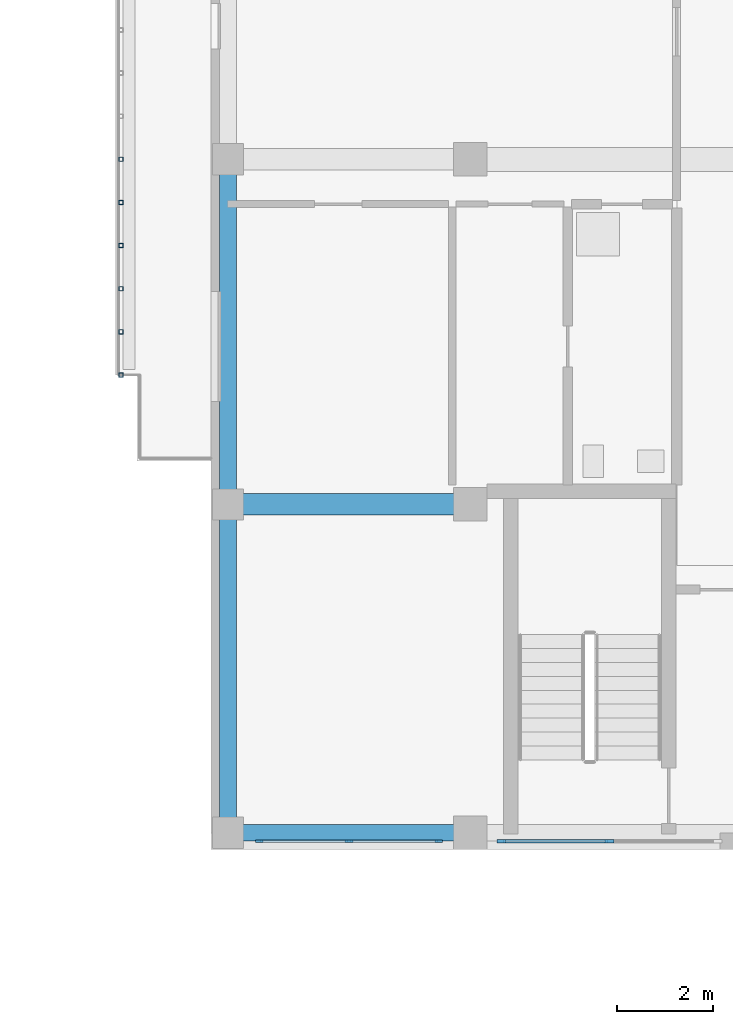
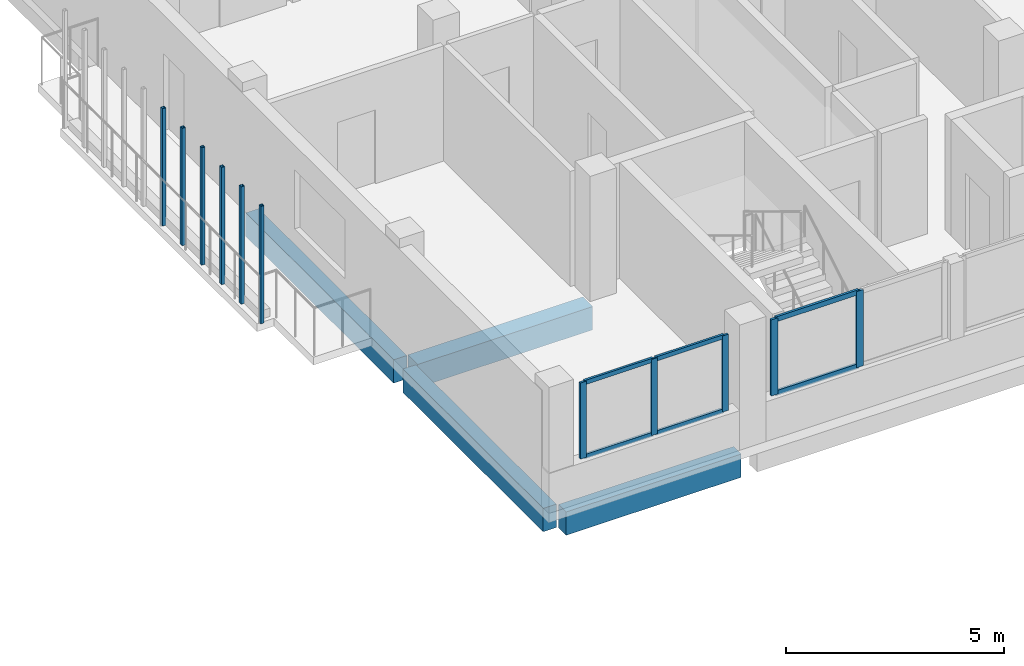
# One storey, part 24 of 73: 17 members, 4 beams, 2 elements without a shape of their own.
"""IFC4 building model written with IfcOpenShell, lengths in metres."""

from ifc_helpers import new_model, si_unit, derived_unit, direction, frame, origin, origin_2d, place, context, subcontext, project, spatial, rectangle, hollow_rectangle, extrude, material, layer, layer_set, material_profile, profile_set, type_object, element, aggregate, save


model = new_model("IFC4")

# Units and contexts
model_context = context("Model", 3, precision=1e-05, world=origin(), true_north=direction((0.0, 1.0)))
body_context = subcontext(model_context, "Body", "Model", "MODEL_VIEW")
ifc_project = project(units=[si_unit("LENGTHUNIT", "METRE"), si_unit("AREAUNIT", "SQUARE_METRE"), si_unit("VOLUMEUNIT", "CUBIC_METRE"), si_unit("PLANEANGLEUNIT", "RADIAN"), si_unit("MASSUNIT", "GRAM", prefix="KILO"), derived_unit("THERMALTRANSMITTANCEUNIT", [(si_unit("MASSUNIT", "GRAM", prefix="KILO"), 1), (si_unit("TIMEUNIT", "SECOND"), -3), (si_unit("THERMODYNAMICTEMPERATUREUNIT", "KELVIN"), -1)])], contexts=[model_context])

# Site, building, storey
site_placement = place(None, origin())
site = spatial("IfcSite", under=ifc_project, at=site_placement, CompositionType="ELEMENT")
building_placement = place(site_placement, origin())
building = spatial("IfcBuilding", under=site, at=building_placement, Name="Ochrekiln Boulevard Commons", CompositionType="ELEMENT")
storey_placement = place(building_placement, frame((0.0, 0.0, 8.574951171875)))
storey = spatial("IfcBuildingStorey", under=building, at=storey_placement, Name="L02", CompositionType="ELEMENT", Elevation=8.574951171875)

# Beam
ifc_material_1 = material(Name="Concrete C35/45", Category="concrete")
ifc_material_profile_1 = material_profile(ifc_material_1, rectangle(XDim=0.449951171875, YDim=0.64990234375, at=origin_2d()), Name="RC-BM-450x650")
ifc_profile_set_1 = profile_set([ifc_material_profile_1], Name="Concrete C35/45")
beam_type_1 = type_object("IfcBeamType", Name="BM-RC-450x650", PredefinedType="BEAM", material=ifc_profile_set_1)
beam_1_placement = place(storey_placement, frame((151.760009765625, 75.60009765625, -0.5849609375), z_axis=(1.0, 0.0, 0.0), x_axis=(0.0, 1.0, 0.0)))
element("IfcBeam", 1, at=beam_1_placement, inside=storey, type_object=beam_type_1, Name="Block B L02 Beam B-4565 X4", PredefinedType="BEAM", context=body_context, shape_type="SweptSolid", body=[
    extrude(rectangle(XDim=0.449951171875, YDim=0.64990234375, at=origin_2d()), origin(), (0.0, 0.0, 1.0), 4.6298828125),
])

# Curtain wall, members
ifc_material_2 = material(Name="Bronze-anodized extruded aluminium 6063-T6", Category="aluminium")
ifc_layer = layer(ifc_material_2, 0.18408203125)
ifc_layer_set = layer_set([ifc_layer], Name="Bronze-anodized extruded aluminium 6063-T6")
curtain_wall_type = type_object("IfcCurtainWallType", Name="CW-GABLE-B", PredefinedType="USERDEFINED", material=ifc_layer_set)
curtain_wall_1_placement = place(storey_placement, origin())
curtain_wall_1 = element("IfcCurtainWall", 2, at=curtain_wall_1_placement, inside=storey, type_object=curtain_wall_type, Name="Block B L02 Courtyard Glazed Gable Curtain Wall 1", ObjectType="GLAZED CURTAIN WALL", PredefinedType="USERDEFINED")
ifc_material_profile_2 = material_profile(ifc_material_2, rectangle(XDim=0.06005859375, YDim=0.159912109375, at=origin_2d()), Name="ALU-MUL-60x160")
ifc_profile_set_2 = profile_set([ifc_material_profile_2], Name="Bronze-anodized extruded aluminium 6063-T6")
member_type_1 = type_object("IfcMemberType", Name="CWM-60x160", PredefinedType="MULLION", material=ifc_profile_set_2)
member_1_placement = place(storey_placement, frame((152.199951171875, 68.570068359375, 1.110107421875), z_axis=(0.0, 0.0, 1.0), x_axis=(0.0, 1.0, 0.0)))
member_1 = element("IfcMember", 3, at=member_1_placement, type_object=member_type_1, Name="CW-02 mullion 1", PredefinedType="MULLION", context=body_context, shape_type="SweptSolid", body=[
    extrude(rectangle(XDim=0.06005859375, YDim=0.159912109375, at=origin_2d()), origin(), (0.0, 0.0, 1.0), 2.1298828125),
])
member_2_placement = place(storey_placement, frame((154.074951171875, 68.570068359375, 1.110107421875), z_axis=(0.0, 0.0, 1.0), x_axis=(0.0, 1.0, 0.0)))
member_2 = element("IfcMember", 4, at=member_2_placement, type_object=member_type_1, Name="CW-02 mullion 2", PredefinedType="MULLION", context=body_context, shape_type="SweptSolid", body=[
    extrude(rectangle(XDim=0.06005859375, YDim=0.159912109375, at=origin_2d()), origin(), (0.0, 0.0, 1.0), 2.1298828125),
])
member_3_placement = place(storey_placement, frame((155.949951171875, 68.570068359375, 1.110107421875), z_axis=(0.0, 0.0, 1.0), x_axis=(0.0, 1.0, 0.0)))
member_3 = element("IfcMember", 5, at=member_3_placement, type_object=member_type_1, Name="CW-02 mullion 3", PredefinedType="MULLION", context=body_context, shape_type="SweptSolid", body=[
    extrude(rectangle(XDim=0.06005859375, YDim=0.159912109375, at=origin_2d()), origin(), (0.0, 0.0, 1.0), 2.1298828125),
])

curtain_wall_2_placement = place(storey_placement, origin())
curtain_wall_2 = element("IfcCurtainWall", 6, at=curtain_wall_2_placement, inside=storey, type_object=curtain_wall_type, Name="Block B L02 Courtyard Glazed Gable Curtain Wall 2", ObjectType="GLAZED CURTAIN WALL", PredefinedType="USERDEFINED")
ifc_material_profile_3 = material_profile(ifc_material_2, rectangle(XDim=0.06494140625, YDim=0.179931640625, at=origin_2d()), Name="ALU-MUL-65x180")
ifc_profile_set_3 = profile_set([ifc_material_profile_3], Name="Bronze-anodized extruded aluminium 6063-T6")
member_type_2 = type_object("IfcMemberType", Name="CWM-65x180", PredefinedType="MULLION", material=ifc_profile_set_3)
member_4_placement = place(storey_placement, frame((157.25244140625, 68.570068359375, 1.110107421875), z_axis=(0.0, 0.0, 1.0), x_axis=(0.0, 1.0, 0.0)))
member_4 = element("IfcMember", 7, at=member_4_placement, type_object=member_type_2, Name="CW-02 mullion 1", PredefinedType="MULLION", context=body_context, shape_type="SweptSolid", body=[
    extrude(rectangle(XDim=0.06494140625, YDim=0.179931640625, at=origin_2d()), origin(), (0.0, 0.0, 1.0), 2.1298828125),
])
member_5_placement = place(storey_placement, frame((159.510009765625, 68.570068359375, 1.110107421875), z_axis=(0.0, 0.0, 1.0), x_axis=(0.0, 1.0, 0.0)))
member_5 = element("IfcMember", 8, at=member_5_placement, type_object=member_type_2, Name="CW-02 mullion 2", PredefinedType="MULLION", context=body_context, shape_type="SweptSolid", body=[
    extrude(rectangle(XDim=0.06494140625, YDim=0.179931640625, at=origin_2d()), origin(), (0.0, 0.0, 1.0), 2.1298828125),
])

# Member
ifc_material_profile_4 = material_profile(ifc_material_2, rectangle(XDim=0.06005859375, YDim=0.1201171875, at=origin_2d()), Name="ALU-TRN-60x120")
ifc_profile_set_4 = profile_set([ifc_material_profile_4], Name="Bronze-anodized extruded aluminium 6063-T6")
member_type_3 = type_object("IfcMemberType", Name="CWT-60x120", PredefinedType="USERDEFINED", material=ifc_profile_set_4)
member_6_placement = place(storey_placement, frame((152.22998046875, 68.570068359375, 1.14013671875), z_axis=(1.0, 0.0, 0.0), x_axis=(0.0, 1.0, 0.0)))
member_6 = element("IfcMember", 9, at=member_6_placement, type_object=member_type_3, Name="CW-02 transom 1.1", ObjectType="TRANSOM", PredefinedType="USERDEFINED", context=body_context, shape_type="SweptSolid", body=[
    extrude(rectangle(XDim=0.06005859375, YDim=0.1201171875, at=origin_2d()), origin(), (0.0, 0.0, 1.0), 1.81494140625),
])

member_7_placement = place(storey_placement, frame((152.22998046875, 68.570068359375, 3.2099609375), z_axis=(1.0, 0.0, 0.0), x_axis=(0.0, 1.0, 0.0)))
member_7 = element("IfcMember", 10, at=member_7_placement, type_object=member_type_3, Name="CW-02 transom 1.2", ObjectType="TRANSOM", PredefinedType="USERDEFINED", context=body_context, shape_type="SweptSolid", body=[
    extrude(rectangle(XDim=0.06005859375, YDim=0.1201171875, at=origin_2d()), origin(), (0.0, 0.0, 1.0), 1.81494140625),
])

member_8_placement = place(storey_placement, frame((154.10498046875, 68.570068359375, 1.14013671875), z_axis=(1.0, 0.0, 0.0), x_axis=(0.0, 1.0, 0.0)))
member_8 = element("IfcMember", 11, at=member_8_placement, type_object=member_type_3, Name="CW-02 transom 2.1", ObjectType="TRANSOM", PredefinedType="USERDEFINED", context=body_context, shape_type="SweptSolid", body=[
    extrude(rectangle(XDim=0.06005859375, YDim=0.1201171875, at=origin_2d()), origin(), (0.0, 0.0, 1.0), 1.81494140625),
])

member_9_placement = place(storey_placement, frame((154.10498046875, 68.570068359375, 3.2099609375), z_axis=(1.0, 0.0, 0.0), x_axis=(0.0, 1.0, 0.0)))
member_9 = element("IfcMember", 12, at=member_9_placement, type_object=member_type_3, Name="CW-02 transom 2.2", ObjectType="TRANSOM", PredefinedType="USERDEFINED", context=body_context, shape_type="SweptSolid", body=[
    extrude(rectangle(XDim=0.06005859375, YDim=0.1201171875, at=origin_2d()), origin(), (0.0, 0.0, 1.0), 1.81494140625),
])

aggregate(curtain_wall_1, [member_1, member_2, member_3, member_6, member_7, member_8, member_9])

ifc_material_profile_5 = material_profile(ifc_material_2, rectangle(XDim=0.06494140625, YDim=0.139892578125, at=origin_2d()), Name="ALU-TRN-65x140")
ifc_profile_set_5 = profile_set([ifc_material_profile_5], Name="Bronze-anodized extruded aluminium 6063-T6")
member_type_4 = type_object("IfcMemberType", Name="CWT-65x140", PredefinedType="USERDEFINED", material=ifc_profile_set_5)
member_10_placement = place(storey_placement, frame((157.284912109375, 68.570068359375, 1.142578125), z_axis=(1.0, 0.0, 0.0), x_axis=(0.0, 1.0, 0.0)))
member_10 = element("IfcMember", 13, at=member_10_placement, type_object=member_type_4, Name="CW-02 transom 1.1", ObjectType="TRANSOM", PredefinedType="USERDEFINED", context=body_context, shape_type="SweptSolid", body=[
    extrude(rectangle(XDim=0.06494140625, YDim=0.139892578125, at=origin_2d()), origin(), (0.0, 0.0, 1.0), 2.192626953125),
])

member_11_placement = place(storey_placement, frame((157.284912109375, 68.570068359375, 3.20751953125), z_axis=(1.0, 0.0, 0.0), x_axis=(0.0, 1.0, 0.0)))
member_11 = element("IfcMember", 14, at=member_11_placement, type_object=member_type_4, Name="CW-02 transom 1.2", ObjectType="TRANSOM", PredefinedType="USERDEFINED", context=body_context, shape_type="SweptSolid", body=[
    extrude(rectangle(XDim=0.06494140625, YDim=0.139892578125, at=origin_2d()), origin(), (0.0, 0.0, 1.0), 2.192626953125),
])

aggregate(curtain_wall_2, [member_4, member_5, member_10, member_11])

# Members
ifc_material_3 = material(Name="Steel A500 Grade C", Category="steel")
ifc_material_profile_6 = material_profile(ifc_material_3, hollow_rectangle(XDim=0.090087890625, YDim=0.090087890625, WallThickness=0.00634765625, at=origin_2d()), Name="HSS90X90X6.4")
ifc_profile_set_6 = profile_set([ifc_material_profile_6], Name="Steel A500 Grade C")
member_type_5 = type_object("IfcMemberType", Name="MEM-PST-HSS90", PredefinedType="POST", material=ifc_profile_set_6)
for number, where, z_axis, x_axis, name in (
    (15, (149.320068359375, 78.300048828125, 0.0), (0.0, 0.0, 1.0), (1.0, 0.0, 0.0), "Block B L02 Slim Vertical Balcony Post (177)"),
    (16, (149.320068359375, 79.199951171875, 0.0), (0.0, 0.0, 1.0), (1.0, 0.0, 0.0), "Block B L02 Slim Vertical Balcony Post (178)"),
    (17, (149.320068359375, 80.10009765625, 0.0), (0.0, 0.0, 1.0), (1.0, 0.0, 0.0), "Block B L02 Slim Vertical Balcony Post (179)"),
    (18, (149.320068359375, 81.0, 0.0), (0.0, 0.0, 1.0), (1.0, 0.0, 0.0), "Block B L02 Slim Vertical Balcony Post (180)"),
    (19, (149.320068359375, 81.89990234375, 0.0), (0.0, 0.0, 1.0), (1.0, 0.0, 0.0), "Block B L02 Slim Vertical Balcony Post (181)"),
    (20, (149.320068359375, 82.800048828125, 0.0), (0.0, 0.0, 1.0), (1.0, 0.0, 0.0), "Block B L02 Slim Vertical Balcony Post (182)"),
):
    element("IfcMember", number, at=place(storey_placement, frame(where, z_axis=z_axis, x_axis=x_axis)), inside=storey, type_object=member_type_5, Name=name, PredefinedType="POST", context=body_context, shape_type="SweptSolid", body=[
        extrude(hollow_rectangle(XDim=0.090087890625, YDim=0.090087890625, WallThickness=0.00634765625, at=origin_2d()), origin(), (0.0, 0.0, 1.0), 3.280029296875),
    ])

# Beams
ifc_material_4 = material(Name="Concrete C40/50", Category="concrete")
ifc_material_profile_7 = material_profile(ifc_material_4, rectangle(XDim=0.35009765625, YDim=0.64990234375, at=origin_2d()), Name="RC-SPN-350x650")
ifc_profile_set_7 = profile_set([ifc_material_profile_7], Name="Concrete C40/50")
beam_type_2 = type_object("IfcBeamType", Name="SPN-RC-350x650", PredefinedType="SPANDREL", material=ifc_profile_set_7)
beam_2_placement = place(storey_placement, frame((151.760009765625, 68.75, -0.5849609375), z_axis=(1.0, 0.0, 0.0), x_axis=(0.0, 1.0, 0.0)))
element("IfcBeam", 21, at=beam_2_placement, inside=storey, type_object=beam_type_2, Name="Block B L02 Beam SP-3565 X1", PredefinedType="SPANDREL", context=body_context, shape_type="SweptSolid", body=[
    extrude(rectangle(XDim=0.35009765625, YDim=0.64990234375, at=origin_2d()), origin(), (0.0, 0.0, 1.0), 4.6298828125),
])
beam_3_placement = place(storey_placement, frame((151.550048828125, 68.9599609375, -0.5849609375), z_axis=(0.0, 1.0, 0.0), x_axis=(-1.0, 0.0, 0.0)))
element("IfcBeam", 22, at=beam_3_placement, inside=storey, type_object=beam_type_2, Name="Block B L02 Beam SP-3565 Y23", PredefinedType="SPANDREL", context=body_context, shape_type="SweptSolid", body=[
    extrude(rectangle(XDim=0.35009765625, YDim=0.64990234375, at=origin_2d()), origin(), (0.0, 0.0, 1.0), 6.429931640625),
])
beam_4_placement = place(storey_placement, frame((151.550048828125, 75.81005859375, -0.5849609375), z_axis=(0.0, 1.0, 0.0), x_axis=(-1.0, 0.0, 0.0)))
element("IfcBeam", 23, at=beam_4_placement, inside=storey, type_object=beam_type_2, Name="Block B L02 Beam SP-3565 Y24", PredefinedType="SPANDREL", context=body_context, shape_type="SweptSolid", body=[
    extrude(rectangle(XDim=0.35009765625, YDim=0.64990234375, at=origin_2d()), origin(), (0.0, 0.0, 1.0), 6.780029296875),
])

save(model, "model.ifc")
